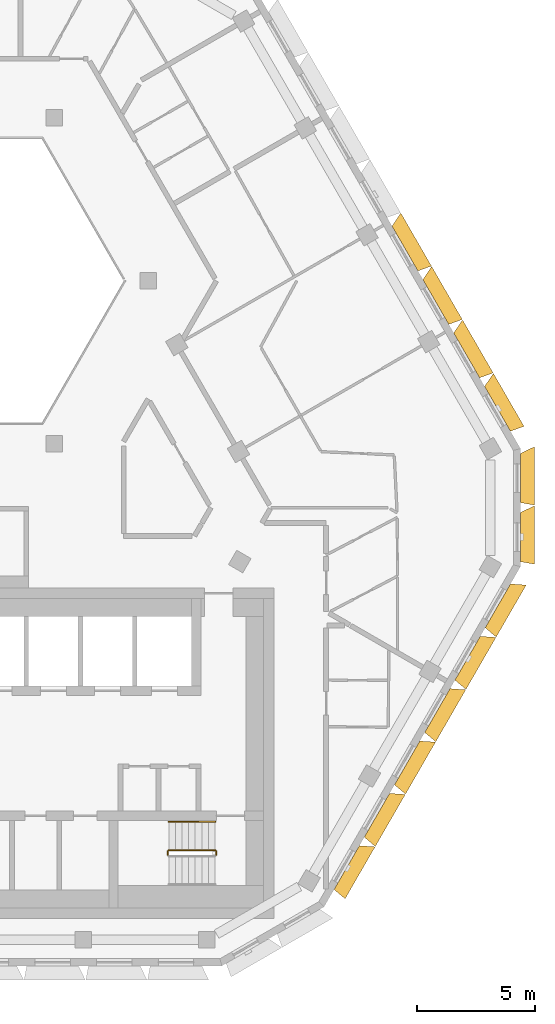
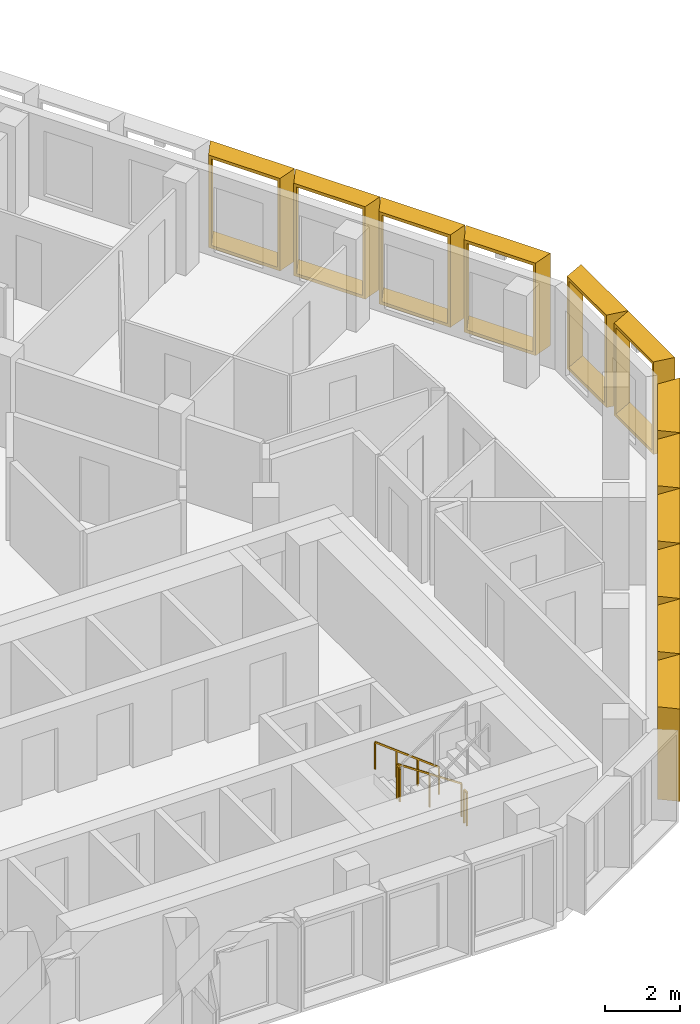
# One storey, part 15 of 16: 12 shading devices, 4 railings.
"""IFC4 building model written with IfcOpenShell, lengths in metres."""

from ifc_helpers import new_model, entity, si_unit, direction, frame, origin, origin_2d, place, context, subcontext, project, spatial, rectangle, extrude, source, transform, mapped, material, type_object, type_shapes, element, save


model = new_model("IFC4")

# Units and contexts
model_context = context("Model", 3, precision=1e-05, world=origin(), true_north=direction((0.0, 1.0)))
body_context = subcontext(model_context, "Body", "Model", "MODEL_VIEW")
ifc_project = project(units=[si_unit("LENGTHUNIT", "METRE"), si_unit("AREAUNIT", "SQUARE_METRE"), si_unit("VOLUMEUNIT", "CUBIC_METRE"), si_unit("PLANEANGLEUNIT", "RADIAN"), si_unit("MASSUNIT", "GRAM", prefix="KILO")], contexts=[model_context])

# Site, building, storey
site_placement = place(None, origin())
site = spatial("IfcSite", under=ifc_project, at=site_placement, CompositionType="ELEMENT")
building_placement = place(site_placement, origin())
building = spatial("IfcBuilding", under=site, at=building_placement, Name="Beryl Residences", CompositionType="ELEMENT")
storey_placement = place(building_placement, frame((0.0, 0.0, 232.800048828125)))
storey = spatial("IfcBuildingStorey", under=building, at=storey_placement, Name="L72", CompositionType="ELEMENT", Elevation=232.800048828125)

# Shading devices
ifc_material_1 = material(Name="Aluminium pale anodised", Category="aluminium")
shading_device_type_1 = type_object("IfcShadingDeviceType", Name="FR250-60C OUTER SKIN frame 600 mm deep, splay 10/26 deg, 2500 x 3000 mm cell", PredefinedType="USERDEFINED", material=ifc_material_1)
cartesian_point_1 = entity("IfcCartesianPoint", [-1.04052734375, 0.0])
cartesian_point_2 = entity("IfcCartesianPoint", [-0.959228515625, 0.10009765625])
cartesian_point_3 = entity("IfcCartesianPoint", [-1.146240234375, 0.0])
cartesian_point_4 = entity("IfcCartesianPoint", [-1.06494140625, 0.10009765625])
shared_shape_1 = source(origin(), body_context, "Body", "SweptSolid", [
    entity("IfcExtrudedAreaSolidTapered", entity("IfcArbitraryProfileDefWithVoids", "AREA", None, entity("IfcPolyline", [cartesian_point_1, entity("IfcCartesianPoint", [1.04052734375, 0.0]), entity("IfcCartesianPoint", [1.04052734375, 3.0]), entity("IfcCartesianPoint", [-1.04052734375, 3.0]), cartesian_point_1]), [entity("IfcPolyline", [cartesian_point_2, entity("IfcCartesianPoint", [0.951416015625, 0.10009765625]), entity("IfcCartesianPoint", [0.951416015625, 2.89990234375]), entity("IfcCartesianPoint", [-0.959228515625, 2.89990234375]), cartesian_point_2])]), entity("IfcAxis2Placement3D", entity("IfcCartesianPoint", [0.0, 0.0, 0.0]), entity("IfcDirection", [0.0, 1.0, 0.0]), entity("IfcDirection", [-1.0, 0.0, 0.0])), entity("IfcDirection", [0.0, 0.0, 1.0]), 0.60009765625, entity("IfcArbitraryProfileDefWithVoids", "AREA", None, entity("IfcPolyline", [cartesian_point_3, entity("IfcCartesianPoint", [1.333251953125, 0.0]), entity("IfcCartesianPoint", [1.333251953125, 3.0]), entity("IfcCartesianPoint", [-1.146240234375, 3.0]), cartesian_point_3]), [entity("IfcPolyline", [cartesian_point_4, entity("IfcCartesianPoint", [1.244140625, 0.10009765625]), entity("IfcCartesianPoint", [1.244140625, 2.89990234375]), entity("IfcCartesianPoint", [-1.06494140625, 2.89990234375]), cartesian_point_4])])),
])
type_shapes(shading_device_type_1, [shared_shape_1])
for number, where, z_axis, x_axis, name in (
    (1, (23.72900390625, -2.85009765625, 0.0), (0.0, 0.0, 1.0), (0.0, -1.0, 0.0), "FR250-60C frame L72 SE-NE 1"),
    (2, (23.72900390625, -0.35009765625, 0.0), (0.0, 0.0, 1.0), (0.0, -1.0, 0.0), "FR250-60C frame L72 SE-NE 2"),
):
    element("IfcShadingDevice", number, at=place(storey_placement, frame(where, z_axis=z_axis, x_axis=x_axis)), inside=storey, type_object=shading_device_type_1, Name=name, ObjectType="OUTER SKIN", PredefinedType="USERDEFINED", context=body_context, shape_type="MappedRepresentation", body=[
        mapped(shared_shape_1, transform((0.0, 0.0, 0.0))),
    ])
ifc_material_2 = material(Name="Aluminium pale anodised", Category="aluminium")
shading_device_type_2 = type_object("IfcShadingDeviceType", Name="FR256-60C OUTER SKIN frame 600 mm deep, splay 10/26 deg, 2560 x 3000 mm cell", PredefinedType="USERDEFINED", material=ifc_material_2)
cartesian_point_5 = entity("IfcCartesianPoint", [-1.070556640625, 0.0])
cartesian_point_6 = entity("IfcCartesianPoint", [-0.9892578125, 0.10009765625])
cartesian_point_7 = entity("IfcCartesianPoint", [-1.17626953125, 0.0])
cartesian_point_8 = entity("IfcCartesianPoint", [-1.094970703125, 0.10009765625])
shared_shape_2 = source(origin(), body_context, "Body", "SweptSolid", [
    entity("IfcExtrudedAreaSolidTapered", entity("IfcArbitraryProfileDefWithVoids", "AREA", None, entity("IfcPolyline", [cartesian_point_5, entity("IfcCartesianPoint", [1.070556640625, 0.0]), entity("IfcCartesianPoint", [1.070556640625, 3.0]), entity("IfcCartesianPoint", [-1.070556640625, 3.0]), cartesian_point_5]), [entity("IfcPolyline", [cartesian_point_6, entity("IfcCartesianPoint", [0.9814453125, 0.10009765625]), entity("IfcCartesianPoint", [0.9814453125, 2.89990234375]), entity("IfcCartesianPoint", [-0.9892578125, 2.89990234375]), cartesian_point_6])]), entity("IfcAxis2Placement3D", entity("IfcCartesianPoint", [0.0, 0.0, 0.0]), entity("IfcDirection", [0.0, 1.0, 0.0]), entity("IfcDirection", [-1.0, 0.0, 0.0])), entity("IfcDirection", [0.0, 0.0, 1.0]), 0.60009765625, entity("IfcArbitraryProfileDefWithVoids", "AREA", None, entity("IfcPolyline", [cartesian_point_7, entity("IfcCartesianPoint", [1.363037109375, 0.0]), entity("IfcCartesianPoint", [1.363037109375, 3.0]), entity("IfcCartesianPoint", [-1.17626953125, 3.0]), cartesian_point_7]), [entity("IfcPolyline", [cartesian_point_8, entity("IfcCartesianPoint", [1.274169921875, 0.10009765625]), entity("IfcCartesianPoint", [1.274169921875, 2.89990234375]), entity("IfcCartesianPoint", [-1.094970703125, 2.89990234375]), cartesian_point_8])])),
])
type_shapes(shading_device_type_2, [shared_shape_2])
for number, where, z_axis, x_axis, name in (
    (3, (16.373046875, -16.842041015625, 0.0), (0.0, 0.0, 1.0), (-0.5, -0.866025403784, 0.0), "FR256-60C frame L72 SE 1"),
    (4, (17.652099609375, -14.625, 0.0), (0.0, 0.0, 1.0), (-0.5, -0.866025403784, 0.0), "FR256-60C frame L72 SE 2"),
    (5, (18.931884765625, -12.408935546875, 0.0), (0.0, 0.0, 1.0), (-0.5, -0.866025403784, 0.0), "FR256-60C frame L72 SE 3"),
    (6, (20.2119140625, -10.19189453125, 0.0), (0.0, 0.0, 1.0), (-0.5, -0.866025403784, 0.0), "FR256-60C frame L72 SE 4"),
    (7, (21.490966796875, -7.97607421875, 0.0), (0.0, 0.0, 1.0), (-0.5, -0.866025403784, 0.0), "FR256-60C frame L72 SE 5"),
    (8, (22.77099609375, -5.759033203125, 0.0), (0.0, 0.0, 1.0), (-0.5, -0.866025403784, 0.0), "FR256-60C frame L72 SE 6"),
):
    element("IfcShadingDevice", number, at=place(storey_placement, frame(where, z_axis=z_axis, x_axis=x_axis)), inside=storey, type_object=shading_device_type_2, Name=name, ObjectType="OUTER SKIN", PredefinedType="USERDEFINED", context=body_context, shape_type="MappedRepresentation", body=[
        mapped(shared_shape_2, transform((0.0, 0.0, 0.0))),
    ])
ifc_material_3 = material(Name="Aluminium pale anodised", Category="aluminium")
shading_device_type_3 = type_object("IfcShadingDeviceType", Name="FR261-60C OUTER SKIN frame 600 mm deep, splay 10/26 deg, 2610 x 3000 mm cell", PredefinedType="USERDEFINED", material=ifc_material_3)
cartesian_point_9 = entity("IfcCartesianPoint", [-1.095458984375, 0.0])
cartesian_point_10 = entity("IfcCartesianPoint", [-1.01416015625, 0.10009765625])
cartesian_point_11 = entity("IfcCartesianPoint", [-1.201416015625, 0.0])
cartesian_point_12 = entity("IfcCartesianPoint", [-1.1201171875, 0.10009765625])
shared_shape_3 = source(origin(), body_context, "Body", "SweptSolid", [
    entity("IfcExtrudedAreaSolidTapered", entity("IfcArbitraryProfileDefWithVoids", "AREA", None, entity("IfcPolyline", [cartesian_point_9, entity("IfcCartesianPoint", [1.095458984375, 0.0]), entity("IfcCartesianPoint", [1.095458984375, 3.0]), entity("IfcCartesianPoint", [-1.095458984375, 3.0]), cartesian_point_9]), [entity("IfcPolyline", [cartesian_point_10, entity("IfcCartesianPoint", [1.006591796875, 0.10009765625]), entity("IfcCartesianPoint", [1.006591796875, 2.89990234375]), entity("IfcCartesianPoint", [-1.01416015625, 2.89990234375]), cartesian_point_10])]), entity("IfcAxis2Placement3D", entity("IfcCartesianPoint", [0.0, 0.0, 0.0]), entity("IfcDirection", [0.0, 1.0, 0.0]), entity("IfcDirection", [-1.0, 0.0, 0.0])), entity("IfcDirection", [0.0, 0.0, 1.0]), 0.60009765625, entity("IfcArbitraryProfileDefWithVoids", "AREA", None, entity("IfcPolyline", [cartesian_point_11, entity("IfcCartesianPoint", [1.38818359375, 0.0]), entity("IfcCartesianPoint", [1.38818359375, 3.0]), entity("IfcCartesianPoint", [-1.201416015625, 3.0]), cartesian_point_11]), [entity("IfcPolyline", [cartesian_point_12, entity("IfcCartesianPoint", [1.299072265625, 0.10009765625]), entity("IfcCartesianPoint", [1.299072265625, 2.89990234375]), entity("IfcCartesianPoint", [-1.1201171875, 2.89990234375]), cartesian_point_12])])),
])
type_shapes(shading_device_type_3, [shared_shape_3])
for number, where, z_axis, x_axis, name in (
    (9, (22.758056640625, 2.5810546875, 0.0), (0.0, 0.0, 1.0), (0.5, -0.866025403784, 0.0), "FR261-60C frame L72 NE 1"),
    (10, (21.450927734375, 4.843994140625, 0.0), (0.0, 0.0, 1.0), (0.5, -0.866025403784, 0.0), "FR261-60C frame L72 NE 2"),
    (11, (20.14501953125, 7.10595703125, 0.0), (0.0, 0.0, 1.0), (0.5, -0.866025403784, 0.0), "FR261-60C frame L72 NE 3"),
    (12, (18.839111328125, 9.368896484375, 0.0), (0.0, 0.0, 1.0), (0.5, -0.866025403784, 0.0), "FR261-60C frame L72 NE 4"),
):
    element("IfcShadingDevice", number, at=place(storey_placement, frame(where, z_axis=z_axis, x_axis=x_axis)), inside=storey, type_object=shading_device_type_3, Name=name, ObjectType="OUTER SKIN", PredefinedType="USERDEFINED", context=body_context, shape_type="MappedRepresentation", body=[
        mapped(shared_shape_3, transform((0.0, 0.0, 0.0))),
    ])

# Railings
ifc_material_4 = material(Name="Stainless steel balustrade with glass infill", Category="steel")
railing_type_1 = type_object("IfcRailingType", Name="SG1 stair guard 1100 mm", PredefinedType="GUARDRAIL", material=ifc_material_4)
railing_1_placement = place(storey_placement, frame((10.800048828125, -16.10009765625, 0.1875)))
element("IfcRailing", 13, at=railing_1_placement, inside=storey, type_object=railing_type_1, Name="L72 ST-3 stair guard 1", PredefinedType="GUARDRAIL", context=body_context, shape_type="SweptSolid", body=[
    extrude(rectangle(XDim=0.048095703125, YDim=0.048095703125, at=origin_2d()), frame((0.0, 0.0, 1.076171875), z_axis=(-0.830902050051, 0.0, 0.556418712142), x_axis=(0.0, -1.0, 0.0)), (0.0, 0.0, 1.0), 2.35888671875),
    extrude(rectangle(XDim=0.0419921875, YDim=0.0419921875, at=origin_2d()), origin(), (0.0, 0.0, 1.0), 1.052001953125),
    extrude(rectangle(XDim=0.0419921875, YDim=0.0419921875, at=origin_2d()), frame((-0.97998046875, 0.0, 0.65625)), (0.0, 0.0, 1.0), 1.052001953125),
    extrude(rectangle(XDim=0.0419921875, YDim=0.0419921875, at=origin_2d()), frame((-1.9599609375, 0.0, 1.3125)), (0.0, 0.0, 1.0), 1.052001953125),
])
for number, where, name in (
    (14, (8.7900390625, -16.14990234375, 1.5), "L72 ST-3 stair guard 2"),
    (15, (10.85009765625, -16.14990234375, 0.0), "L72 ST-3 stair guard 4"),
):
    element("IfcRailing", number, at=place(storey_placement, frame(where)), inside=storey, type_object=railing_type_1, Name=name, PredefinedType="GUARDRAIL", context=body_context, shape_type="SweptSolid", body=[
        extrude(rectangle(XDim=0.048095703125, YDim=0.048095703125, at=origin_2d()), frame((0.0, 0.0, 1.076171875), z_axis=(0.0, -1.0, 0.0), x_axis=(1.0, 0.0, 0.0)), (0.0, 0.0, 1.0), 0.150146484375),
        extrude(rectangle(XDim=0.0419921875, YDim=0.0419921875, at=origin_2d()), origin(), (0.0, 0.0, 1.0), 1.052001953125),
        extrude(rectangle(XDim=0.0419921875, YDim=0.0419921875, at=origin_2d()), frame((0.0, -0.150146484375, 0.0)), (0.0, 0.0, 1.0), 1.052001953125),
    ])
ifc_material_5 = material(Name="Stainless steel handrail", Category="steel")
railing_type_2 = type_object("IfcRailingType", Name="SRL1 stair handrail 900 mm", PredefinedType="HANDRAIL", material=ifc_material_5)
railing_2_placement = place(storey_placement, frame((10.800048828125, -14.89990234375, 0.1875)))
element("IfcRailing", 16, at=railing_2_placement, inside=storey, type_object=railing_type_2, Name="L72 ST-3 stair handrail 1", PredefinedType="HANDRAIL", context=body_context, shape_type="SweptSolid", body=[
    extrude(rectangle(XDim=0.048095703125, YDim=0.048095703125, at=origin_2d()), frame((0.0, 0.0, 0.8759765625), z_axis=(-0.794121922505, 0.0, 0.607758481798), x_axis=(0.0, -1.0, 0.0)), (0.0, 0.0, 1.0), 2.468017578125),
    extrude(rectangle(XDim=0.0419921875, YDim=0.0419921875, at=origin_2d()), origin(), (0.0, 0.0, 1.0), 0.851806640625),
    extrude(rectangle(XDim=0.0419921875, YDim=0.0419921875, at=origin_2d()), frame((-0.6533203125, 0.0, 0.5)), (0.0, 0.0, 1.0), 0.851806640625),
    extrude(rectangle(XDim=0.0419921875, YDim=0.0419921875, at=origin_2d()), frame((-1.306640625, 0.0, 1.0)), (0.0, 0.0, 1.0), 0.851806640625),
    extrude(rectangle(XDim=0.0419921875, YDim=0.0419921875, at=origin_2d()), frame((-1.9599609375, 0.0, 1.5)), (0.0, 0.0, 1.0), 0.851806640625),
])

save(model, "model.ifc")
